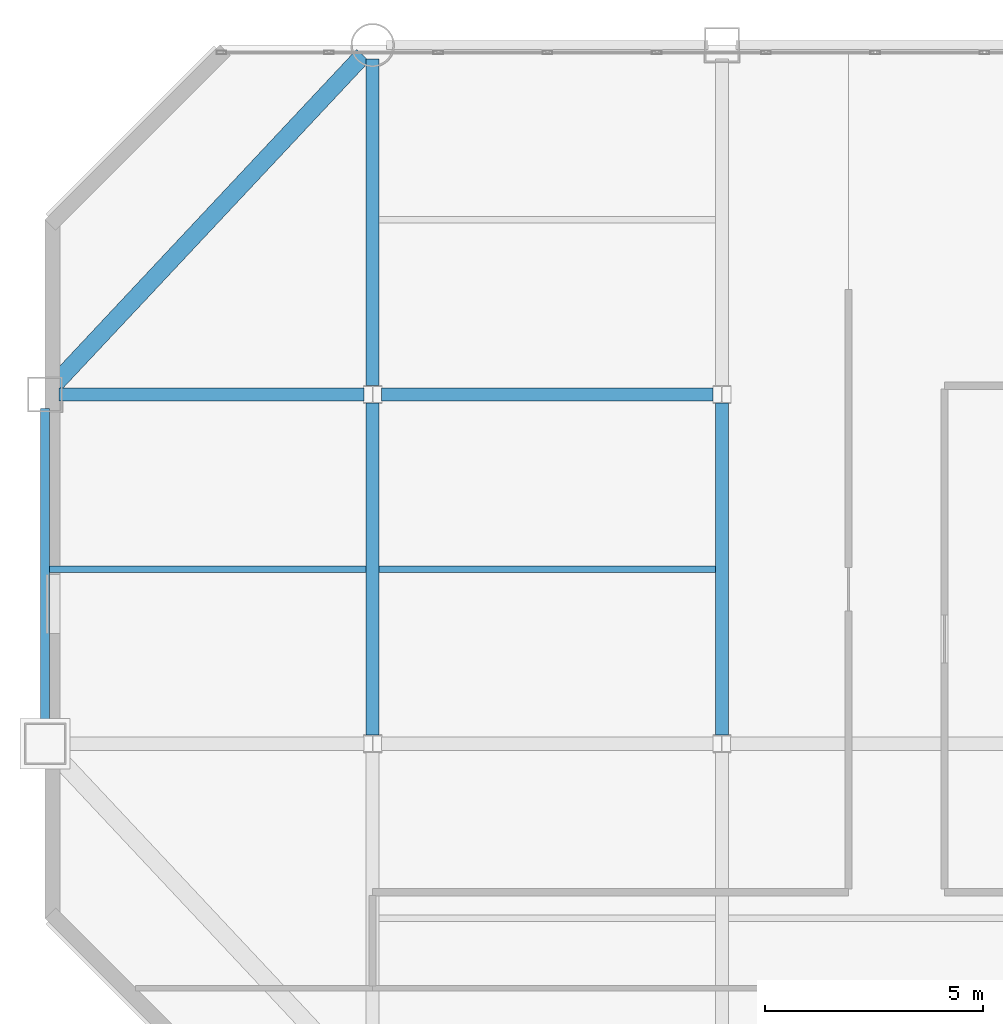
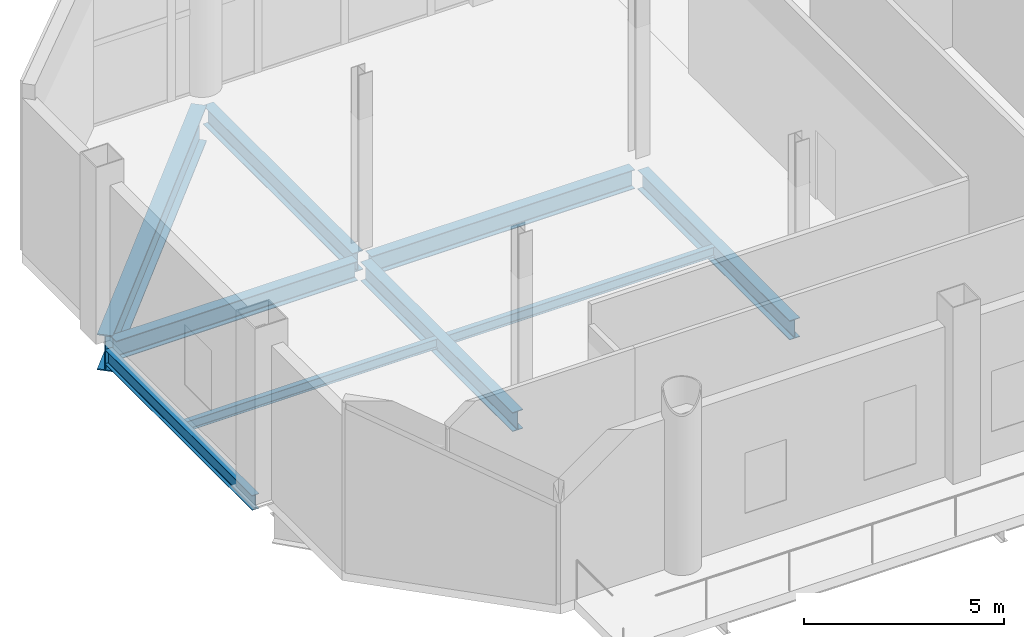
# One storey, part 13 of 21: 9 beams.
"""IFC4 building model written with IfcOpenShell, lengths in metres."""

from ifc_helpers import new_model, si_unit, direction, frame, origin, origin_2d, place, context, subcontext, project, spatial, i_section, extrude, material, material_profile, profile_set, type_object, element, save


model = new_model("IFC4")

# Units and contexts
model_context = context("Model", 3, precision=1e-05, world=origin(), true_north=direction((0.0, 1.0)))
body_context = subcontext(model_context, "Body", "Model", "MODEL_VIEW")
ifc_project = project(units=[si_unit("LENGTHUNIT", "METRE"), si_unit("AREAUNIT", "SQUARE_METRE"), si_unit("VOLUMEUNIT", "CUBIC_METRE"), si_unit("PLANEANGLEUNIT", "RADIAN"), si_unit("MASSUNIT", "GRAM", prefix="KILO")], contexts=[model_context])

# Site, building, storey
site_placement = place(None, origin())
site = spatial("IfcSite", under=ifc_project, at=site_placement, CompositionType="ELEMENT")
building_placement = place(site_placement, origin())
building = spatial("IfcBuilding", under=site, at=building_placement, Name="Qianrong Seaharbour Tower", CompositionType="ELEMENT")
storey_placement = place(building_placement, frame((0.0, 0.0, 200.39990234375)))
storey = spatial("IfcBuildingStorey", under=building, at=storey_placement, Name="L48", CompositionType="ELEMENT", Elevation=200.39990234375)

# Beams
ifc_material_1 = material(Name="Structural steel SN490B", Category="steel")
ifc_material_profile_1 = material_profile(ifc_material_1, i_section(OverallWidth=0.300048828125, OverallDepth=0.587890625, WebThickness=0.011962890625, FlangeThickness=0.02001953125, FilletRadius=0.02392578125, at=origin_2d()), Name="H588x300x12x20")
ifc_profile_set_1 = profile_set([ifc_material_profile_1], Name="Structural steel SN490B")
beam_type_1 = type_object("IfcBeamType", Name="BM-G-588", PredefinedType="BEAM", material=ifc_profile_set_1)
beam_1_placement = place(storey_placement, frame((9.320068359375, 44.0, -0.593994140625), z_axis=(1.0, 0.0, 0.0), x_axis=(0.0, 1.0, 0.0)))
element("IfcBeam", 1, at=beam_1_placement, inside=storey, type_object=beam_type_1, Name="L48 Primary Girder GG G2-G3", PredefinedType="BEAM", context=body_context, shape_type="SweptSolid", body=[
    extrude(i_section(OverallWidth=0.300048828125, OverallDepth=0.587890625, WebThickness=0.011962890625, FlangeThickness=0.02001953125, FilletRadius=0.02392578125, at=origin_2d()), origin(), (0.0, 0.0, 1.0), 6.97998046875),
])
for number, where, z_axis, x_axis, name in (
    (2, (16.699951171875, 44.0, -0.593994140625), (1.0, 0.0, 0.0), (0.0, 1.0, 0.0), "L48 Primary Girder GG G3-G4"),
    (3, (16.5, 36.199951171875, -0.593994140625), (0.0, 1.0, 0.0), (-1.0, 0.0, 0.0), "L48 Primary Girder G3 GF-GG"),
):
    element("IfcBeam", number, at=place(storey_placement, frame(where, z_axis=z_axis, x_axis=x_axis)), inside=storey, type_object=beam_type_1, Name=name, PredefinedType="BEAM", context=body_context, shape_type="SweptSolid", body=[
        extrude(i_section(OverallWidth=0.300048828125, OverallDepth=0.587890625, WebThickness=0.011962890625, FlangeThickness=0.02001953125, FilletRadius=0.02392578125, at=origin_2d()), origin(), (0.0, 0.0, 1.0), 7.60009765625),
    ])
beam_2_placement = place(storey_placement, frame((16.5, 44.199951171875, -0.593994140625), z_axis=(0.0, 1.0, 0.0), x_axis=(-1.0, 0.0, 0.0)))
element("IfcBeam", 4, at=beam_2_placement, inside=storey, type_object=beam_type_1, Name="L48 Primary Girder G3 GG-GH", PredefinedType="BEAM", context=body_context, shape_type="SweptSolid", body=[
    extrude(i_section(OverallWidth=0.300048828125, OverallDepth=0.587890625, WebThickness=0.011962890625, FlangeThickness=0.02001953125, FilletRadius=0.02392578125, at=origin_2d()), origin(), (0.0, 0.0, 1.0), 7.47998046875),
])
beam_3_placement = place(storey_placement, frame((24.5, 36.199951171875, -0.593994140625), z_axis=(0.0, 1.0, 0.0), x_axis=(-1.0, 0.0, 0.0)))
element("IfcBeam", 5, at=beam_3_placement, inside=storey, type_object=beam_type_1, Name="L48 Primary Girder G4 GF-GG", PredefinedType="BEAM", context=body_context, shape_type="SweptSolid", body=[
    extrude(i_section(OverallWidth=0.300048828125, OverallDepth=0.587890625, WebThickness=0.011962890625, FlangeThickness=0.02001953125, FilletRadius=0.02392578125, at=origin_2d()), origin(), (0.0, 0.0, 1.0), 7.60009765625),
])
ifc_material_2 = material(Name="Structural steel SN400B", Category="steel")
ifc_material_profile_2 = material_profile(ifc_material_2, i_section(OverallWidth=0.14990234375, OverallDepth=0.300048828125, WebThickness=0.006591796875, FlangeThickness=0.009033203125, FilletRadius=0.012939453125, at=origin_2d()), Name="H300x150x6.5x9")
ifc_profile_set_2 = profile_set([ifc_material_profile_2], Name="Structural steel SN400B")
beam_type_2 = type_object("IfcBeamType", Name="BM-J-300", PredefinedType="JOIST", material=ifc_profile_set_2)
beam_4_placement = place(storey_placement, frame((9.10009765625, 40.0, -0.449951171875), z_axis=(1.0, 0.0, 0.0), x_axis=(0.0, 1.0, 0.0)))
element("IfcBeam", 6, at=beam_4_placement, inside=storey, type_object=beam_type_2, Name="L48 Composite Floor Joist G2-G3/GF-GG", PredefinedType="JOIST", context=body_context, shape_type="SweptSolid", body=[
    extrude(i_section(OverallWidth=0.14990234375, OverallDepth=0.300048828125, WebThickness=0.006591796875, FlangeThickness=0.009033203125, FilletRadius=0.012939453125, at=origin_2d()), origin(), (0.0, 0.0, 1.0), 7.25),
])
beam_5_placement = place(storey_placement, frame((16.64990234375, 40.0, -0.449951171875), z_axis=(1.0, 0.0, 0.0), x_axis=(0.0, 1.0, 0.0)))
element("IfcBeam", 7, at=beam_5_placement, inside=storey, type_object=beam_type_2, Name="L48 Composite Floor Joist G3-G4/GF-GG", PredefinedType="JOIST", context=body_context, shape_type="SweptSolid", body=[
    extrude(i_section(OverallWidth=0.14990234375, OverallDepth=0.300048828125, WebThickness=0.006591796875, FlangeThickness=0.009033203125, FilletRadius=0.012939453125, at=origin_2d()), origin(), (0.0, 0.0, 1.0), 7.7001953125),
])
ifc_material_profile_3 = material_profile(ifc_material_2, i_section(OverallWidth=0.199951171875, OverallDepth=0.449951171875, WebThickness=0.009033203125, FlangeThickness=0.013916015625, FilletRadius=0.01806640625, at=origin_2d()), Name="H450x200x9x14")
ifc_profile_set_3 = profile_set([ifc_material_profile_3], Name="Structural steel SN400B")
beam_type_3 = type_object("IfcBeamType", Name="BM-SP-450", PredefinedType="SPANDREL", material=ifc_profile_set_3)
beam_6_placement = place(storey_placement, frame((9.0, 36.320068359375, -0.52490234375), z_axis=(0.0, 1.0, 0.0), x_axis=(-1.0, 0.0, 0.0)))
element("IfcBeam", 8, at=beam_6_placement, inside=storey, type_object=beam_type_3, Name="L48 Spandrel Girder G2 GF-GG", PredefinedType="SPANDREL", context=body_context, shape_type="SweptSolid", body=[
    extrude(i_section(OverallWidth=0.199951171875, OverallDepth=0.449951171875, WebThickness=0.009033203125, FlangeThickness=0.013916015625, FilletRadius=0.01806640625, at=origin_2d()), origin(), (0.0, 0.0, 1.0), 7.35986328125),
])
ifc_material_profile_4 = material_profile(ifc_material_1, i_section(OverallWidth=0.39990234375, OverallDepth=1.10009765625, WebThickness=0.02001953125, FlangeThickness=0.035888671875, at=origin_2d()), Name="BH1100x400x20x36")
ifc_profile_set_4 = profile_set([ifc_material_profile_4], Name="Structural steel SN490B")
beam_type_4 = type_object("IfcBeamType", Name="BM-TG-1100", PredefinedType="BEAM", material=ifc_profile_set_4)
beam_7_placement = place(storey_placement, frame((16.28125, 51.7666015625, -0.849853515625), z_axis=(-0.683947420573, -0.729531305628, 0.0), x_axis=(0.729531305628, -0.683947420573, 0.0)))
element("IfcBeam", 9, at=beam_7_placement, inside=storey, type_object=beam_type_4, Name="L48 Chamfer Corner Spandrel Girder G2/GH", PredefinedType="BEAM", context=body_context, shape_type="SweptSolid", body=[
    extrude(i_section(OverallWidth=0.39990234375, OverallDepth=1.10009765625, WebThickness=0.02001953125, FlangeThickness=0.035888671875, at=origin_2d()), origin(), (0.0, 0.0, 1.0), 10.326171875),
])

save(model, "model.ifc")
